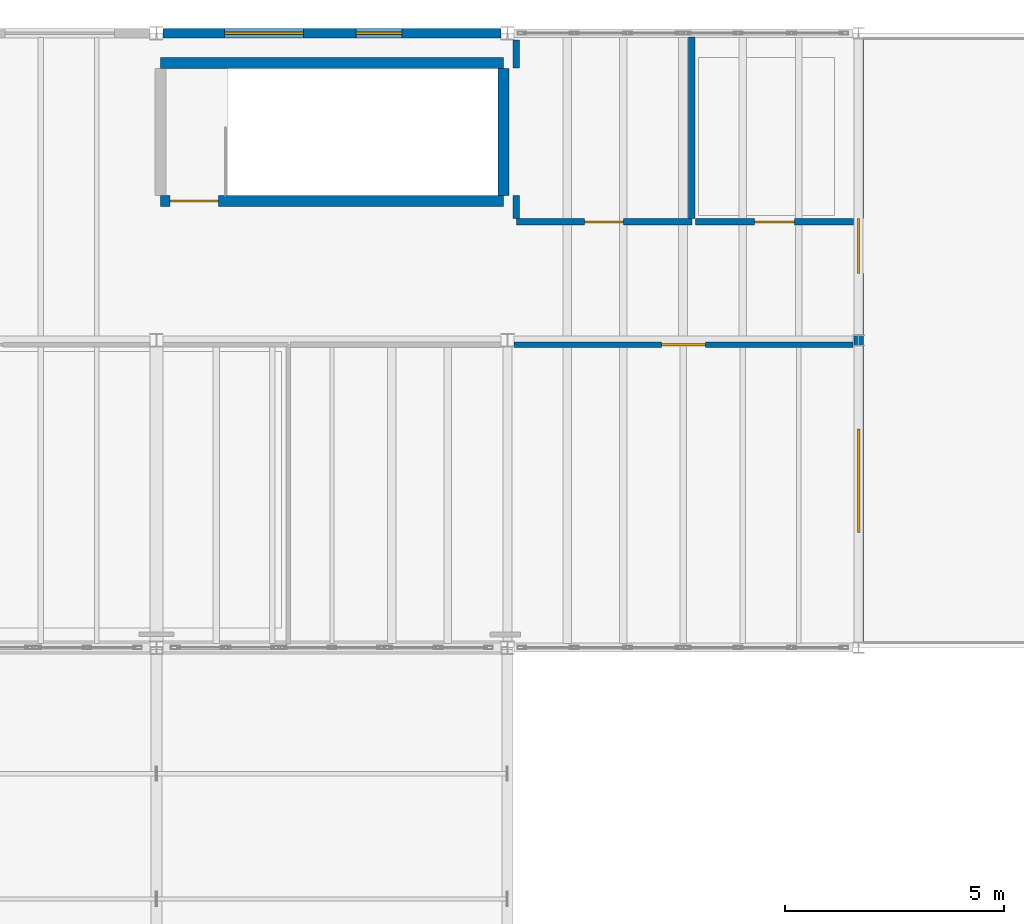
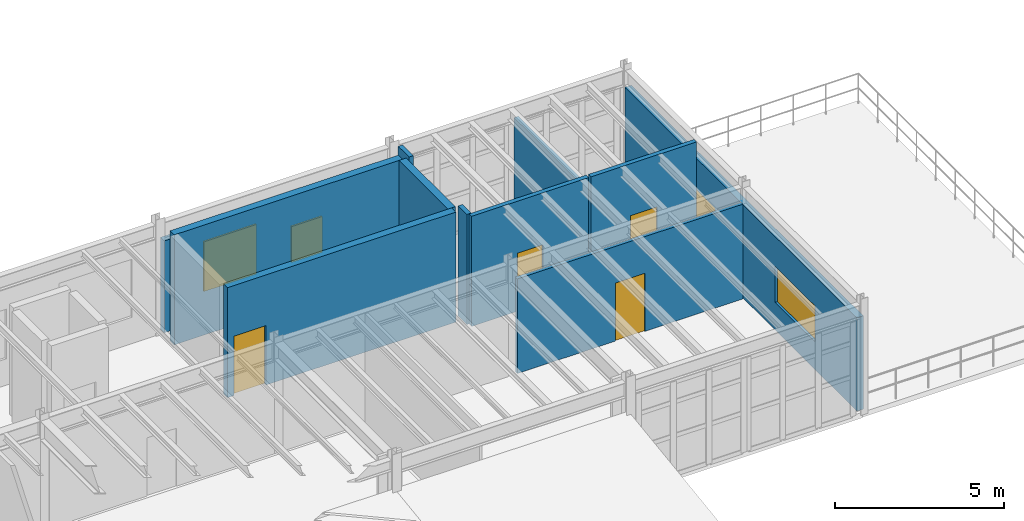
# One storey, part 71 of 77: 11 walls, 5 doors, 3 windows, 8 openings.
"""IFC4 building model written with IfcOpenShell, lengths in metres."""

from ifc_helpers import new_model, si_unit, direction, frame, frame_2d, origin, place, context, subcontext, project, spatial, rectangle, extrude, material, layer, layer_set, type_object, element, fill, save


model = new_model("IFC4")

# Units and contexts
model_context = context("Model", 3, precision=1e-05, world=origin(), true_north=direction((0.0, 1.0)))
body_context = subcontext(model_context, "Body", "Model", "MODEL_VIEW")
ifc_project = project(units=[si_unit("LENGTHUNIT", "METRE"), si_unit("AREAUNIT", "SQUARE_METRE"), si_unit("VOLUMEUNIT", "CUBIC_METRE"), si_unit("PLANEANGLEUNIT", "RADIAN"), si_unit("MASSUNIT", "GRAM", prefix="KILO"), si_unit("THERMODYNAMICTEMPERATUREUNIT", "KELVIN"), si_unit("POWERUNIT", "WATT")], contexts=[model_context])

# Site, building, storey
site_placement = place(None, origin())
site = spatial("IfcSite", under=ifc_project, at=site_placement, CompositionType="ELEMENT")
building_placement = place(site_placement, origin())
building = spatial("IfcBuilding", under=site, at=building_placement, Name="Zhenchuan Central Fire Station", CompositionType="ELEMENT")
storey_placement = place(building_placement, frame((0.0, 0.0, 10.050048828125)))
storey = spatial("IfcBuildingStorey", under=building, at=storey_placement, Name="L03", CompositionType="ELEMENT", Elevation=10.050048828125)

# Wall, openings, door, window
ifc_material_1 = material(Name="Precast concrete C40/50", Category="concrete")
ifc_layer_1 = layer(ifc_material_1, 0.219970703125, Name="Precast concrete C40/50", Category="concrete")
ifc_layer_set_1 = layer_set([ifc_layer_1], Name="Precast concrete C40/50")
wall_type_1 = type_object("IfcWallType", Name="EW-PRC220", PredefinedType="SOLIDWALL", material=ifc_layer_set_1)
wall_1_placement = place(storey_placement, frame((48.0, 42.625, 0.0), z_axis=(0.0, 0.0, 1.0), x_axis=(0.0, 1.0, 0.0)))
wall_1 = element("IfcWall", 1, at=wall_1_placement, inside=storey, type_object=wall_type_1, Name="EW-L03-V3E", PredefinedType="SOLIDWALL", context=body_context, shape_type="SweptSolid", body=[
    extrude(rectangle(XDim=13.75, YDim=0.219970703125, at=frame_2d((6.875, 0.0))), origin(), (0.0, 0.0, 1.0), 3.3740234375),
])
opening_1_placement = place(wall_1_placement, frame((8.39990234375, 0.0, 0.0)))
opening_1 = element("IfcOpeningElement", 2, at=opening_1_placement, cuts=wall_1, Name="Opening TD-012", PredefinedType="OPENING", context=body_context, shape_type="SweptSolid", body=[
    extrude(rectangle(XDim=1.25, YDim=2.25, at=frame_2d((0.625, 1.125))), frame((0.0, 0.119873046875, 0.0), z_axis=(0.0, -1.0, 0.0), x_axis=(1.0, 0.0, 0.0)), (0.0, 0.0, 1.0), 0.239990234375),
])
opening_2_placement = place(wall_1_placement, frame((2.5, 0.0, 1.0)))
opening_2 = element("IfcOpeningElement", 3, at=opening_2_placement, cuts=wall_1, Name="Opening W-46", PredefinedType="OPENING", context=body_context, shape_type="SweptSolid", body=[
    extrude(rectangle(XDim=2.35009765625, YDim=1.300048828125, at=frame_2d((1.175048828125, 0.64990234375))), frame((0.0, 0.119873046875, 0.0), z_axis=(0.0, -1.0, 0.0), x_axis=(1.0, 0.0, 0.0)), (0.0, 0.0, 1.0), 0.239990234375),
])
ifc_material_2 = material(Name="Powder-coated steel fire exit door", Category="steel")
door_type_1 = type_object("IfcDoorType", Name="ED-125x225", OperationType="NOTDEFINED", PredefinedType="DOOR", material=ifc_material_2)
door_1_placement = place(opening_1_placement, frame((1.25, 0.0, 0.0), z_axis=(0.0, 0.0, 1.0), x_axis=(-1.0, 0.0, 0.0)))
door_1 = element("IfcDoor", 4, at=door_1_placement, inside=storey, type_object=door_type_1, Name="Crew L03 Recovery Terrace Door", OperationType="SINGLE_SWING_RIGHT", OverallHeight=2.25, OverallWidth=1.25, PredefinedType="DOOR", context=body_context, shape_type="SweptSolid", body=[
    extrude(rectangle(XDim=1.25, YDim=2.25, at=frame_2d((0.625, 1.125))), frame((0.0, 0.02490234375, 0.0), z_axis=(0.0, -1.0, 0.0), x_axis=(1.0, 0.0, 0.0)), (0.0, 0.0, 1.0), 0.050048828125),
])
fill(opening_1, door_1)
ifc_material_3 = material(Name="Laminated low-E double glazing in aluminium frame", Category="aluminium")
window_type_1 = type_object("IfcWindowType", Name="WN-46", PartitioningType="SINGLE_PANEL", PredefinedType="WINDOW", material=ifc_material_3)
window_1_placement = place(opening_2_placement, origin())
window_1 = element("IfcWindow", 5, at=window_1_placement, inside=storey, type_object=window_type_1, Name="Exterior Window 0075", OverallHeight=1.300048828125, OverallWidth=2.35009765625, PartitioningType="SINGLE_PANEL", PredefinedType="WINDOW", context=body_context, shape_type="SweptSolid", body=[
    extrude(rectangle(XDim=2.35009765625, YDim=1.300048828125, at=frame_2d((1.175048828125, 0.64990234375))), frame((0.0, 0.030029296875, 0.0), z_axis=(0.0, -1.0, 0.0), x_axis=(1.0, 0.0, 0.0)), (0.0, 0.0, 1.0), 0.06005859375),
])
fill(opening_2, window_1)

# Wall, openings, windows
wall_2_placement = place(storey_placement, frame((32.14990234375, 56.5, 0.0), z_axis=(0.0, 0.0, 1.0), x_axis=(1.0, 0.0, 0.0)))
wall_2 = element("IfcWall", 6, at=wall_2_placement, inside=storey, type_object=wall_type_1, Name="EW-L03-V3N-4", PredefinedType="SOLIDWALL", context=body_context, shape_type="SweptSolid", body=[
    extrude(rectangle(XDim=7.7001953125, YDim=0.219970703125, at=frame_2d((3.85009765625, 0.0))), origin(), (0.0, 0.0, 1.0), 3.323974609375),
])
opening_3_placement = place(wall_2_placement, frame((1.39990234375, 0.0, 0.949951171875)))
opening_3 = element("IfcOpeningElement", 7, at=opening_3_placement, cuts=wall_2, Name="Opening W-25", PredefinedType="OPENING", context=body_context, shape_type="SweptSolid", body=[
    extrude(rectangle(XDim=1.800048828125, YDim=1.800048828125, at=frame_2d((0.89990234375, 0.89990234375))), frame((0.0, 0.119873046875, 0.0), z_axis=(0.0, -1.0, 0.0), x_axis=(1.0, 0.0, 0.0)), (0.0, 0.0, 1.0), 0.239990234375),
])
opening_4_placement = place(wall_2_placement, frame((4.39990234375, 0.0, 0.949951171875)))
opening_4 = element("IfcOpeningElement", 8, at=opening_4_placement, cuts=wall_2, Name="Opening W-40", PredefinedType="OPENING", context=body_context, shape_type="SweptSolid", body=[
    extrude(rectangle(XDim=1.050048828125, YDim=1.300048828125, at=frame_2d((0.52490234375, 0.64990234375))), frame((0.0, 0.119873046875, 0.0), z_axis=(0.0, -1.0, 0.0), x_axis=(1.0, 0.0, 0.0)), (0.0, 0.0, 1.0), 0.239990234375),
])
window_type_2 = type_object("IfcWindowType", Name="WN-25", PartitioningType="SINGLE_PANEL", PredefinedType="WINDOW", material=ifc_material_3)
window_2_placement = place(opening_3_placement, origin())
window_2 = element("IfcWindow", 9, at=window_2_placement, inside=storey, type_object=window_type_2, Name="Exterior Window 0082", OverallHeight=1.800048828125, OverallWidth=1.800048828125, PartitioningType="SINGLE_PANEL", PredefinedType="WINDOW", context=body_context, shape_type="SweptSolid", body=[
    extrude(rectangle(XDim=1.800048828125, YDim=1.800048828125, at=frame_2d((0.89990234375, 0.89990234375))), frame((0.0, 0.030029296875, 0.0), z_axis=(0.0, -1.0, 0.0), x_axis=(1.0, 0.0, 0.0)), (0.0, 0.0, 1.0), 0.06005859375),
])
fill(opening_3, window_2)
window_type_3 = type_object("IfcWindowType", Name="WN-40", PartitioningType="SINGLE_PANEL", PredefinedType="WINDOW", material=ifc_material_3)
window_3_placement = place(opening_4_placement, origin())
window_3 = element("IfcWindow", 10, at=window_3_placement, inside=storey, type_object=window_type_3, Name="Exterior Window 0083", OverallHeight=1.300048828125, OverallWidth=1.050048828125, PartitioningType="SINGLE_PANEL", PredefinedType="WINDOW", context=body_context, shape_type="SweptSolid", body=[
    extrude(rectangle(XDim=1.050048828125, YDim=1.300048828125, at=frame_2d((0.52490234375, 0.64990234375))), frame((0.0, 0.030029296875, 0.0), z_axis=(0.0, -1.0, 0.0), x_axis=(1.0, 0.0, 0.0)), (0.0, 0.0, 1.0), 0.06005859375),
])
fill(opening_4, window_3)

# Wall, opening, door
ifc_material_4 = material(Name="Autoclaved aerated concrete blockwork", Category="masonry")
ifc_layer_2 = layer(ifc_material_4, 0.14990234375, Name="Autoclaved aerated concrete blockwork", Category="masonry")
ifc_layer_set_2 = layer_set([ifc_layer_2], Name="Autoclaved aerated concrete blockwork")
wall_type_2 = type_object("IfcWallType", Name="IW-BLK150", PredefinedType="PARTITIONING", material=ifc_layer_set_2)
wall_3_placement = place(storey_placement, frame((40.199951171875, 52.199951171875, 0.0), z_axis=(0.0, 0.0, 1.0), x_axis=(1.0, 0.0, 0.0)))
wall_3 = element("IfcWall", 11, at=wall_3_placement, inside=storey, type_object=wall_type_2, Name="Gym Locker and Shower Room S Partition", PredefinedType="PARTITIONING", context=body_context, shape_type="SweptSolid", body=[
    extrude(rectangle(XDim=4.0, YDim=0.14990234375, at=frame_2d((2.0, 0.0))), origin(), (0.0, 0.0, 1.0), 3.97998046875),
])
opening_5_placement = place(wall_3_placement, frame((1.56005859375, 0.0, 0.0)))
opening_5 = element("IfcOpeningElement", 12, at=opening_5_placement, cuts=wall_3, Name="Opening D-157", PredefinedType="OPENING", context=body_context, shape_type="SweptSolid", body=[
    extrude(rectangle(XDim=0.8798828125, YDim=2.10009765625, at=frame_2d((0.43994140625, 1.050048828125))), frame((0.0, 0.0849609375, 0.0), z_axis=(0.0, -1.0, 0.0), x_axis=(1.0, 0.0, 0.0)), (0.0, 0.0, 1.0), 0.169921875),
])
ifc_material_5 = material(Name="Moisture-resistant washroom door")
door_type_2 = type_object("IfcDoorType", Name="ID-WC-088x210", OperationType="NOTDEFINED", PredefinedType="DOOR", material=ifc_material_5)
door_2_placement = place(opening_5_placement, origin())
door_2 = element("IfcDoor", 13, at=door_2_placement, inside=storey, type_object=door_type_2, Name="Gym Locker and Shower Room Door", OperationType="SINGLE_SWING_LEFT", OverallHeight=2.10009765625, OverallWidth=0.8798828125, PredefinedType="DOOR", context=body_context, shape_type="SweptSolid", body=[
    extrude(rectangle(XDim=0.8798828125, YDim=2.10009765625, at=frame_2d((0.43994140625, 1.050048828125))), frame((0.0, 0.02490234375, 0.0), z_axis=(0.0, -1.0, 0.0), x_axis=(1.0, 0.0, 0.0)), (0.0, 0.0, 1.0), 0.050048828125),
])
fill(opening_5, door_2)

# Walls
wall_4_placement = place(storey_placement, frame((40.199951171875, 52.278076171875, 0.0), z_axis=(0.0, 0.0, 1.0), x_axis=(0.0, 1.0, 0.0)))
element("IfcWall", 14, at=wall_4_placement, inside=storey, type_object=wall_type_2, Name="Gym Locker and Shower Room W Partition 1", PredefinedType="PARTITIONING", context=body_context, shape_type="SweptSolid", body=[
    extrude(rectangle(XDim=0.51904296875, YDim=0.14990234375, at=frame_2d((0.259521484375, 0.0))), origin(), (0.0, 0.0, 1.0), 3.97998046875),
])
wall_5_placement = place(storey_placement, frame((40.199951171875, 55.702880859375, 0.0), z_axis=(0.0, 0.0, 1.0), x_axis=(0.0, 1.0, 0.0)))
element("IfcWall", 15, at=wall_5_placement, inside=storey, type_object=wall_type_2, Name="Gym Locker and Shower Room W Partition 2", PredefinedType="PARTITIONING", context=body_context, shape_type="SweptSolid", body=[
    extrude(rectangle(XDim=0.64404296875, YDim=0.14990234375, at=frame_2d((0.322021484375, 0.0))), origin(), (0.0, 0.0, 1.0), 3.97998046875),
])
wall_6_placement = place(storey_placement, frame((44.199951171875, 52.278076171875, 0.0), z_axis=(0.0, 0.0, 1.0), x_axis=(0.0, 1.0, 0.0)))
element("IfcWall", 16, at=wall_6_placement, inside=storey, type_object=wall_type_2, Name="Gym Locker and Shower Room E Partition", PredefinedType="PARTITIONING", context=body_context, shape_type="SweptSolid", body=[
    extrude(rectangle(XDim=4.138916015625, YDim=0.14990234375, at=frame_2d((2.0693359375, 0.0))), origin(), (0.0, 0.0, 1.0), 3.573974609375),
])

# Wall, opening, door
wall_7_placement = place(storey_placement, frame((44.278076171875, 52.199951171875, 0.0), z_axis=(0.0, 0.0, 1.0), x_axis=(1.0, 0.0, 0.0)))
wall_7 = element("IfcWall", 17, at=wall_7_placement, inside=storey, type_object=wall_type_2, Name="Gym Accessible WC S Partition", PredefinedType="PARTITIONING", context=body_context, shape_type="SweptSolid", body=[
    extrude(rectangle(XDim=3.60888671875, YDim=0.14990234375, at=frame_2d((1.804443359375, 0.0))), origin(), (0.0, 0.0, 1.0), 3.97998046875),
])
opening_6_placement = place(wall_7_placement, frame((1.344482421875, 0.0, 0.0)))
opening_6 = element("IfcOpeningElement", 18, at=opening_6_placement, cuts=wall_7, Name="Opening D-158", PredefinedType="OPENING", context=body_context, shape_type="SweptSolid", body=[
    extrude(rectangle(XDim=0.919921875, YDim=2.10009765625, at=frame_2d((0.4599609375, 1.050048828125))), frame((0.0, 0.0849609375, 0.0), z_axis=(0.0, -1.0, 0.0), x_axis=(1.0, 0.0, 0.0)), (0.0, 0.0, 1.0), 0.169921875),
])
ifc_material_6 = material(Name="Moisture-resistant accessible WC door")
door_type_3 = type_object("IfcDoorType", Name="ID-WC-092x210", OperationType="NOTDEFINED", PredefinedType="DOOR", material=ifc_material_6)
door_3_placement = place(opening_6_placement, origin())
door_3 = element("IfcDoor", 19, at=door_3_placement, inside=storey, type_object=door_type_3, Name="Gym Accessible WC Door", OperationType="SINGLE_SWING_RIGHT", OverallHeight=2.10009765625, OverallWidth=0.919921875, PredefinedType="DOOR", context=body_context, shape_type="SweptSolid", body=[
    extrude(rectangle(XDim=0.919921875, YDim=2.10009765625, at=frame_2d((0.4599609375, 1.050048828125))), frame((0.0, 0.02490234375, 0.0), z_axis=(0.0, -1.0, 0.0), x_axis=(1.0, 0.0, 0.0)), (0.0, 0.0, 1.0), 0.050048828125),
])
fill(opening_6, door_3)

ifc_material_7 = material(Name="Gypsum plasterboard on steel studs", Category="gypsum")
ifc_layer_3 = layer(ifc_material_7, 0.1201171875, Name="Gypsum plasterboard on steel studs", Category="gypsum")
ifc_layer_set_3 = layer_set([ifc_layer_3], Name="Gypsum plasterboard on steel studs")
wall_type_3 = type_object("IfcWallType", Name="IW-GYP120", PredefinedType="PARTITIONING", material=ifc_layer_set_3)
wall_8_placement = place(storey_placement, frame((40.153076171875, 49.39990234375, 0.0), z_axis=(0.0, 0.0, 1.0), x_axis=(1.0, 0.0, 0.0)))
wall_8 = element("IfcWall", 20, at=wall_8_placement, inside=storey, type_object=wall_type_3, Name="Crew Dayroom and Recreation Lounge N Partition 2", PredefinedType="PARTITIONING", context=body_context, shape_type="SweptSolid", body=[
    extrude(rectangle(XDim=7.718994140625, YDim=0.1201171875, at=frame_2d((3.859375, 0.0))), origin(), (0.0, 0.0, 1.0), 3.424072265625),
])
opening_7_placement = place(wall_8_placement, frame((3.359619140625, 0.0, 0.0)))
opening_7 = element("IfcOpeningElement", 21, at=opening_7_placement, cuts=wall_8, Name="Opening D-155", PredefinedType="OPENING", context=body_context, shape_type="SweptSolid", body=[
    extrude(rectangle(XDim=1.0, YDim=2.10009765625, at=frame_2d((0.5, 1.050048828125))), frame((0.0, 0.070068359375, 0.0), z_axis=(0.0, -1.0, 0.0), x_axis=(1.0, 0.0, 0.0)), (0.0, 0.0, 1.0), 0.14013671875),
])
ifc_material_8 = material(Name="Solid-core timber office door", Category="wood")
door_type_4 = type_object("IfcDoorType", Name="ID-OFF-100x210", OperationType="NOTDEFINED", PredefinedType="DOOR", material=ifc_material_8)
door_4_placement = place(opening_7_placement, origin())
door_4 = element("IfcDoor", 22, at=door_4_placement, inside=storey, type_object=door_type_4, Name="Crew Dayroom and Recreation Lounge Door", OperationType="SINGLE_SWING_LEFT", OverallHeight=2.10009765625, OverallWidth=1.0, PredefinedType="DOOR", context=body_context, shape_type="SweptSolid", body=[
    extrude(rectangle(XDim=1.0, YDim=2.10009765625, at=frame_2d((0.5, 1.050048828125))), frame((0.0, 0.02490234375, 0.0), z_axis=(0.0, -1.0, 0.0), x_axis=(1.0, 0.0, 0.0)), (0.0, 0.0, 1.0), 0.050048828125),
])
fill(opening_7, door_4)

ifc_material_9 = material(Name="Concrete C40/50", Category="concrete")
ifc_layer_4 = layer(ifc_material_9, 0.25, Name="Concrete C40/50", Category="concrete")
ifc_layer_set_4 = layer_set([ifc_layer_4], Name="Concrete C40/50")
wall_type_4 = type_object("IfcWallType", Name="IW-SHR250", PredefinedType="SHEAR", material=ifc_layer_set_4)
wall_9_placement = place(storey_placement, frame((32.094970703125, 52.675048828125, 0.0), z_axis=(0.0, 0.0, 1.0), x_axis=(1.0, 0.0, 0.0)))
wall_9 = element("IfcWall", 23, at=wall_9_placement, inside=storey, type_object=wall_type_4, Name="ST-07 L03 South Core Wall", PredefinedType="SHEAR", context=body_context, shape_type="SweptSolid", body=[
    extrude(rectangle(XDim=7.81005859375, YDim=0.25, at=frame_2d((3.905029296875, 0.0))), origin(), (0.0, 0.0, 1.0), 3.97998046875),
])
opening_8_placement = place(wall_9_placement, frame((0.219970703125, 0.0, 0.0)))
opening_8 = element("IfcOpeningElement", 24, at=opening_8_placement, cuts=wall_9, Name="Opening D-017", PredefinedType="OPENING", context=body_context, shape_type="SweptSolid", body=[
    extrude(rectangle(XDim=1.10009765625, YDim=2.14990234375, at=frame_2d((0.550048828125, 1.074951171875))), frame((0.0, 0.135009765625, 0.0), z_axis=(0.0, -1.0, 0.0), x_axis=(1.0, 0.0, 0.0)), (0.0, 0.0, 1.0), 0.27001953125),
])
ifc_material_10 = material(Name="Painted steel acoustic fire door", Category="steel")
door_type_5 = type_object("IfcDoorType", Name="ID-ST-110x215", OperationType="NOTDEFINED", PredefinedType="DOOR", material=ifc_material_10)
door_5_placement = place(opening_8_placement, frame((1.10009765625, 0.0, 0.0), z_axis=(0.0, 0.0, 1.0), x_axis=(-1.0, 0.0, 0.0)))
door_5 = element("IfcDoor", 25, at=door_5_placement, inside=storey, type_object=door_type_5, Name="ST-07 L03 Fire Door", OperationType="SINGLE_SWING_LEFT", OverallHeight=2.14990234375, OverallWidth=1.10009765625, PredefinedType="DOOR", context=body_context, shape_type="SweptSolid", body=[
    extrude(rectangle(XDim=1.10009765625, YDim=2.14990234375, at=frame_2d((0.550048828125, 1.074951171875))), frame((0.0, 0.02490234375, 0.0), z_axis=(0.0, -1.0, 0.0), x_axis=(1.0, 0.0, 0.0)), (0.0, 0.0, 1.0), 0.050048828125),
])
fill(opening_8, door_5)

# Walls
wall_10_placement = place(storey_placement, frame((32.094970703125, 55.824951171875, 0.0), z_axis=(0.0, 0.0, 1.0), x_axis=(1.0, 0.0, 0.0)))
element("IfcWall", 26, at=wall_10_placement, inside=storey, type_object=wall_type_4, Name="ST-07 L03 North Core Wall", PredefinedType="SHEAR", context=body_context, shape_type="SweptSolid", body=[
    extrude(rectangle(XDim=7.81005859375, YDim=0.25, at=frame_2d((3.905029296875, 0.0))), origin(), (0.0, 0.0, 1.0), 3.97998046875),
])
wall_11_placement = place(storey_placement, frame((39.905029296875, 52.800048828125, 0.0), z_axis=(0.0, 0.0, 1.0), x_axis=(0.0, 1.0, 0.0)))
element("IfcWall", 27, at=wall_11_placement, inside=storey, type_object=wall_type_4, Name="ST-07 L03 East Core Wall", PredefinedType="SHEAR", context=body_context, shape_type="SweptSolid", body=[
    extrude(rectangle(XDim=2.89990234375, YDim=0.25, at=frame_2d((1.449951171875, 0.0))), origin(), (0.0, 0.0, 1.0), 3.97998046875),
])

save(model, "model.ifc")
